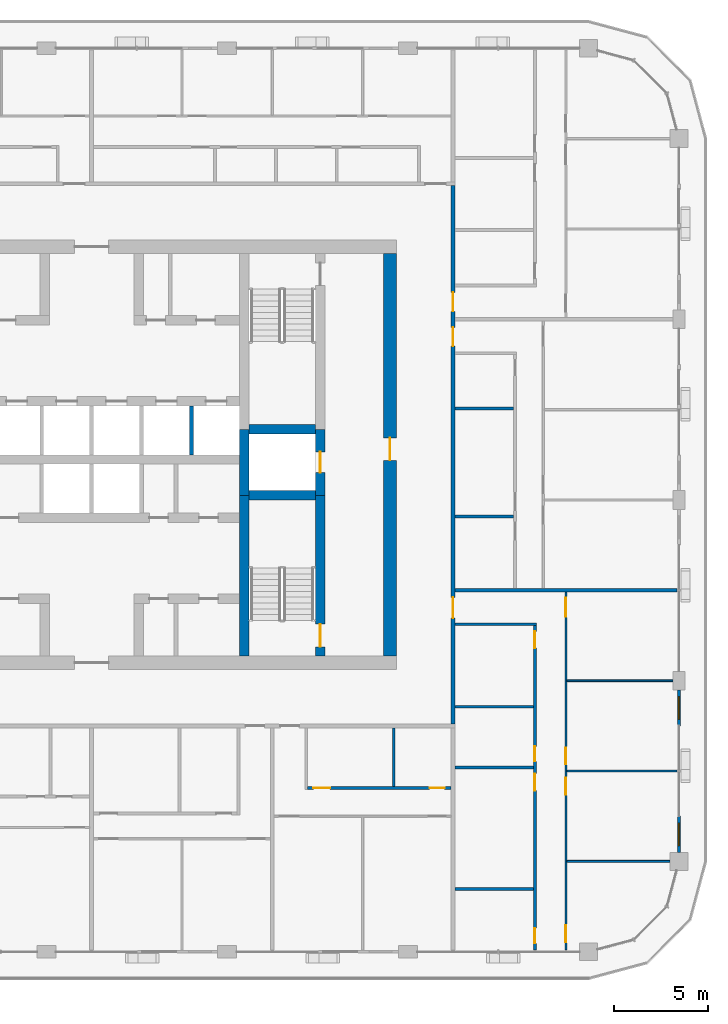
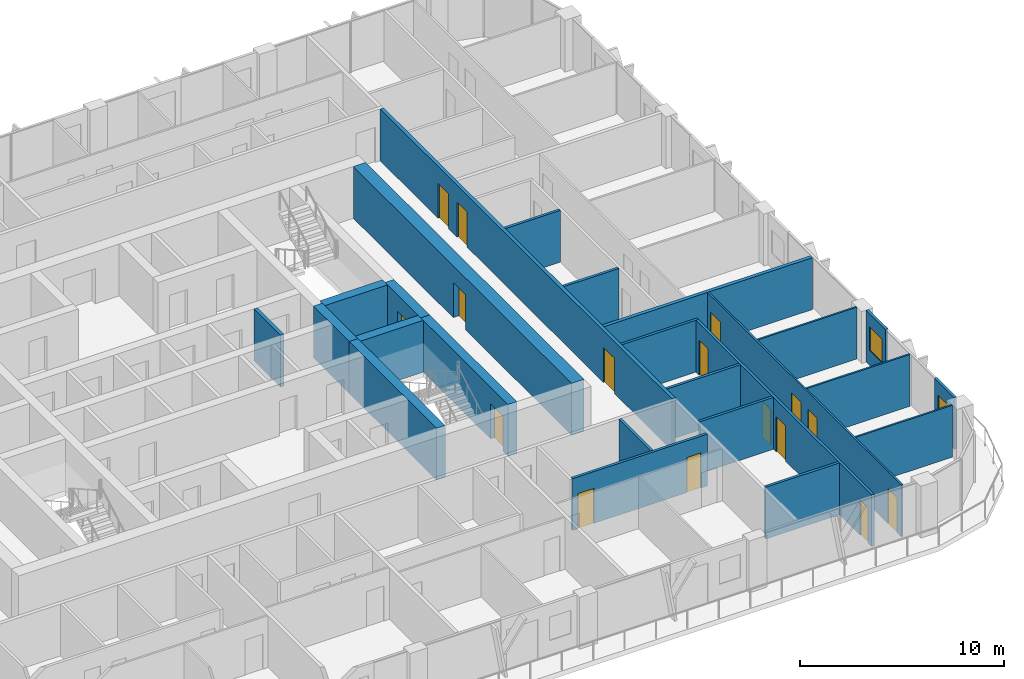
# One storey, part 12 of 22: 25 walls, 16 doors, 2 windows, 18 openings.
"""IFC4 building model written with IfcOpenShell, lengths in metres."""

from ifc_helpers import new_model, si_unit, direction, frame, frame_2d, origin, place, context, subcontext, project, spatial, rectangle, extrude, material, layer, layer_set, type_object, element, fill, save


model = new_model("IFC4")

# Units and contexts
model_context = context("Model", 3, precision=1e-05, world=origin(), true_north=direction((0.0, 1.0)))
body_context = subcontext(model_context, "Body", "Model", "MODEL_VIEW")
ifc_project = project(units=[si_unit("LENGTHUNIT", "METRE"), si_unit("AREAUNIT", "SQUARE_METRE"), si_unit("VOLUMEUNIT", "CUBIC_METRE"), si_unit("PLANEANGLEUNIT", "RADIAN"), si_unit("MASSUNIT", "GRAM", prefix="KILO")], contexts=[model_context])

# Site, building, storey
site_placement = place(None, origin())
site = spatial("IfcSite", under=ifc_project, at=site_placement, CompositionType="ELEMENT")
building_placement = place(site_placement, origin())
building = spatial("IfcBuilding", under=site, at=building_placement, Name="Madar Terraces", CompositionType="ELEMENT")
storey_placement = place(building_placement, frame((0.0, 0.0, 199.89990234375)))
storey = spatial("IfcBuildingStorey", under=building, at=storey_placement, Name="L52", CompositionType="ELEMENT", Elevation=199.89990234375)

# Walls
ifc_material_1 = material(Name="Concrete C60/75", Category="concrete")
ifc_layer_1 = layer(ifc_material_1, 0.5)
ifc_layer_set_1 = layer_set([ifc_layer_1], Name="Concrete C60/75 (CIW4 RC wall 500)")
wall_type_1 = type_object("IfcWallType", Name="CIW4 RC wall 500", PredefinedType="SHEAR", material=ifc_layer_set_1)
wall_1_placement = place(storey_placement, frame((39.300048828125, 15.699951171875, 0.0), z_axis=(0.0, 0.0, 1.0), x_axis=(0.0, 1.0, 0.0)))
element("IfcWall", 1, at=wall_1_placement, inside=storey, type_object=wall_type_1, Name="CORE SHAFT WALL", PredefinedType="SHEAR", context=body_context, shape_type="SweptSolid", body=[
    extrude(rectangle(XDim=8.550048828125, YDim=0.5, at=frame_2d((4.27490234375, 0.0))), origin(), (0.0, 0.0, 1.0), 3.10009765625),
])
wall_2_placement = place(storey_placement, frame((39.300048828125, 24.25, 0.0), z_axis=(0.0, 0.0, 1.0), x_axis=(0.0, 1.0, 0.0)))
element("IfcWall", 2, at=wall_2_placement, inside=storey, type_object=wall_type_1, Name="CORE SHAFT WALL", PredefinedType="SHEAR", context=body_context, shape_type="SweptSolid", body=[
    extrude(rectangle(XDim=3.5, YDim=0.5, at=frame_2d((1.75, 0.0))), origin(), (0.0, 0.0, 1.0), 3.10009765625),
])

# Wall, opening, door
wall_3_placement = place(storey_placement, frame((43.35009765625, 15.699951171875, 0.0), z_axis=(0.0, 0.0, 1.0), x_axis=(0.0, 1.0, 0.0)))
wall_3 = element("IfcWall", 3, at=wall_3_placement, inside=storey, type_object=wall_type_1, Name="CORE SHAFT WALL", PredefinedType="SHEAR", context=body_context, shape_type="SweptSolid", body=[
    extrude(rectangle(XDim=8.550048828125, YDim=0.5, at=frame_2d((4.27490234375, 0.0))), origin(), (0.0, 0.0, 1.0), 3.10009765625),
])
opening_1_placement = place(wall_3_placement, frame((0.5, 0.0, 0.0)))
opening_1 = element("IfcOpeningElement", 4, at=opening_1_placement, cuts=wall_3, Name="Opening SD1", PredefinedType="OPENING", context=body_context, shape_type="SweptSolid", body=[
    extrude(rectangle(XDim=1.199951171875, YDim=2.10009765625, at=frame_2d((0.60009765625, 1.050048828125))), frame((0.0, 0.260009765625, 0.0), z_axis=(0.0, -1.0, 0.0), x_axis=(1.0, 0.0, 0.0)), (0.0, 0.0, 1.0), 0.52001953125),
])
ifc_material_2 = material(Name="Steel door leaf", Category="steel")
door_type_1 = type_object("IfcDoorType", Name="Stair door 1200 x 2100", OperationType="NOTDEFINED", PredefinedType="DOOR", material=ifc_material_2)
door_1_placement = place(opening_1_placement, origin())
door_1 = element("IfcDoor", 5, at=door_1_placement, inside=storey, type_object=door_type_1, Name="STAIR DOOR", OperationType="SINGLE_SWING_LEFT", OverallHeight=2.10009765625, OverallWidth=1.199951171875, PredefinedType="DOOR", context=body_context, shape_type="SweptSolid", body=[
    extrude(rectangle(XDim=1.199951171875, YDim=2.10009765625, at=frame_2d((0.60009765625, 1.050048828125))), frame((0.0, 0.02490234375, 0.0), z_axis=(0.0, -1.0, 0.0), x_axis=(1.0, 0.0, 0.0)), (0.0, 0.0, 1.0), 0.050048828125),
])
fill(opening_1, door_1)

wall_4_placement = place(storey_placement, frame((43.35009765625, 24.25, 0.0), z_axis=(0.0, 0.0, 1.0), x_axis=(0.0, 1.0, 0.0)))
wall_4 = element("IfcWall", 6, at=wall_4_placement, inside=storey, type_object=wall_type_1, Name="CORE SHAFT WALL", PredefinedType="SHEAR", context=body_context, shape_type="SweptSolid", body=[
    extrude(rectangle(XDim=3.5, YDim=0.5, at=frame_2d((1.75, 0.0))), origin(), (0.0, 0.0, 1.0), 3.10009765625),
])
opening_2_placement = place(wall_4_placement, frame((1.199951171875, 0.0, 0.0)))
opening_2 = element("IfcOpeningElement", 7, at=opening_2_placement, cuts=wall_4, Name="Opening LD", PredefinedType="OPENING", context=body_context, shape_type="SweptSolid", body=[
    extrude(rectangle(XDim=1.10009765625, YDim=2.10009765625, at=frame_2d((0.550048828125, 1.050048828125))), frame((0.0, 0.260009765625, 0.0), z_axis=(0.0, -1.0, 0.0), x_axis=(1.0, 0.0, 0.0)), (0.0, 0.0, 1.0), 0.52001953125),
])
ifc_material_3 = material(Name="Stainless steel panel", Category="steel")
door_type_2 = type_object("IfcDoorType", Name="Lift landing door 1100 x 2100", OperationType="DOUBLE_DOOR_SLIDING", PredefinedType="DOOR", material=ifc_material_3)
door_2_placement = place(opening_2_placement, origin())
door_2 = element("IfcDoor", 8, at=door_2_placement, inside=storey, type_object=door_type_2, Name="LIFT LANDING DOOR", OperationType="DOUBLE_DOOR_SLIDING", OverallHeight=2.10009765625, OverallWidth=1.10009765625, PredefinedType="DOOR", context=body_context, shape_type="SweptSolid", body=[
    extrude(rectangle(XDim=1.10009765625, YDim=2.10009765625, at=frame_2d((0.550048828125, 1.050048828125))), frame((0.0, 0.02490234375, 0.0), z_axis=(0.0, -1.0, 0.0), x_axis=(1.0, 0.0, 0.0)), (0.0, 0.0, 1.0), 0.050048828125),
])
fill(opening_2, door_2)

# Walls
for number, where, z_axis, x_axis, name in (
    (9, (39.550048828125, 24.25, 0.0), (0.0, 0.0, 1.0), (1.0, 0.0, 0.0), "CORE SHAFT WALL"),
    (10, (39.550048828125, 27.75, 0.0), (0.0, 0.0, 1.0), (1.0, 0.0, 0.0), "CORE SHAFT WALL"),
):
    element("IfcWall", number, at=place(storey_placement, frame(where, z_axis=z_axis, x_axis=x_axis)), inside=storey, type_object=wall_type_1, Name=name, PredefinedType="SHEAR", context=body_context, shape_type="SweptSolid", body=[
        extrude(rectangle(XDim=3.550048828125, YDim=0.5, at=frame_2d((1.77490234375, 0.0))), origin(), (0.0, 0.0, 1.0), 3.10009765625),
    ])

# Wall, opening, door
ifc_material_4 = material(Name="Concrete C60/75", Category="concrete")
ifc_layer_2 = layer(ifc_material_4, 0.699951171875)
ifc_layer_set_2 = layer_set([ifc_layer_2], Name="Concrete C60/75 (CRW4 RC wall 700)")
wall_type_2 = type_object("IfcWallType", Name="CRW4 RC wall 700", PredefinedType="SHEAR", material=ifc_layer_set_2)
wall_5_placement = place(storey_placement, frame((47.050048828125, 15.699951171875, 0.0), z_axis=(0.0, 0.0, 1.0), x_axis=(0.0, 1.0, 0.0)))
wall_5 = element("IfcWall", 11, at=wall_5_placement, inside=storey, type_object=wall_type_2, Name="CORE OUTER WALL", PredefinedType="SHEAR", context=body_context, shape_type="SweptSolid", body=[
    extrude(rectangle(XDim=21.400146484375, YDim=0.699951171875, at=frame_2d((10.7001953125, 0.0))), origin(), (0.0, 0.0, 1.0), 3.10009765625),
])
opening_3_placement = place(wall_5_placement, frame((10.39990234375, 0.0, 0.0)))
opening_3 = element("IfcOpeningElement", 12, at=opening_3_placement, cuts=wall_5, Name="Opening SD1", PredefinedType="OPENING", context=body_context, shape_type="SweptSolid", body=[
    extrude(rectangle(XDim=1.199951171875, YDim=2.10009765625, at=frame_2d((0.60009765625, 1.050048828125))), frame((0.0, 0.35986328125, 0.0), z_axis=(0.0, -1.0, 0.0), x_axis=(1.0, 0.0, 0.0)), (0.0, 0.0, 1.0), 0.719970703125),
])
door_3_placement = place(opening_3_placement, origin())
door_3 = element("IfcDoor", 13, at=door_3_placement, inside=storey, type_object=door_type_1, Name="STAIR DOOR", OperationType="SINGLE_SWING_RIGHT", OverallHeight=2.10009765625, OverallWidth=1.199951171875, PredefinedType="DOOR", context=body_context, shape_type="SweptSolid", body=[
    extrude(rectangle(XDim=1.199951171875, YDim=2.10009765625, at=frame_2d((0.60009765625, 1.050048828125))), frame((0.0, 0.02490234375, 0.0), z_axis=(0.0, -1.0, 0.0), x_axis=(1.0, 0.0, 0.0)), (0.0, 0.0, 1.0), 0.050048828125),
])
fill(opening_3, door_3)

# Wall
ifc_material_5 = material(Name="Concrete C40/50", Category="concrete")
ifc_layer_3 = layer(ifc_material_5, 0.199951171875)
ifc_layer_set_3 = layer_set([ifc_layer_3], Name="Core shaft dividing wall 200 C40/50")
wall_type_3 = type_object("IfcWallType", Name="Core shaft dividing wall 200 C40/50", PredefinedType="SOLIDWALL", material=ifc_layer_set_3)
wall_6_placement = place(storey_placement, frame((36.5, 26.39990234375, 0.0), z_axis=(0.0, 0.0, 1.0), x_axis=(0.0, 1.0, 0.0)))
element("IfcWall", 14, at=wall_6_placement, inside=storey, type_object=wall_type_3, Name="SHAFT DIVIDING WALL", PredefinedType="SOLIDWALL", context=body_context, shape_type="SweptSolid", body=[
    extrude(rectangle(XDim=2.60009765625, YDim=0.199951171875, at=frame_2d((1.300048828125, 0.0))), origin(), (0.0, 0.0, 1.0), 3.10009765625),
])

# Wall, opening, window
ifc_material_6 = material(Name="Aluminium composite panel, black, over insulated backing", Category="aluminium")
ifc_layer_4 = layer(ifc_material_6, 0.14990234375)
ifc_layer_set_4 = layer_set([ifc_layer_4], Name="Facade bay panel 150")
wall_type_4 = type_object("IfcWallType", Name="Facade bay panel 150", PredefinedType="SOLIDWALL", material=ifc_layer_set_4)
wall_7_placement = place(storey_placement, frame((62.39990234375, 5.27490234375, 0.0), z_axis=(0.0, 0.0, 1.0), x_axis=(0.0, 1.0, 0.0)))
wall_7 = element("IfcWall", 15, at=wall_7_placement, inside=storey, type_object=wall_type_4, Name="Facade bay panel", PredefinedType="SOLIDWALL", context=body_context, shape_type="SweptSolid", body=[
    extrude(rectangle(XDim=1.925048828125, YDim=0.14990234375, at=frame_2d((0.96240234375, 0.0))), origin(), (0.0, 0.0, 1.0), 3.10009765625),
])
opening_4_placement = place(wall_7_placement, frame((0.362548828125, 0.0, 0.89990234375)))
opening_4 = element("IfcOpeningElement", 16, at=opening_4_placement, cuts=wall_7, Name="Opening W1", PredefinedType="OPENING", context=body_context, shape_type="SweptSolid", body=[
    extrude(rectangle(XDim=1.199951171875, YDim=1.39990234375, at=frame_2d((0.60009765625, 0.699951171875))), frame((0.0, 0.0849609375, 0.0), z_axis=(0.0, -1.0, 0.0), x_axis=(1.0, 0.0, 0.0)), (0.0, 0.0, 1.0), 0.169921875),
])
ifc_material_7 = material(Name="Glass, clear, with black aluminium frame", Category="aluminium")
window_type = type_object("IfcWindowType", Name="Vent window 1200 x 1400", PartitioningType="SINGLE_PANEL", PredefinedType="WINDOW", material=ifc_material_7)
window_1_placement = place(opening_4_placement, origin())
window_1 = element("IfcWindow", 17, at=window_1_placement, inside=storey, type_object=window_type, Name="Operable vent window", OverallHeight=1.39990234375, OverallWidth=1.199951171875, PartitioningType="SINGLE_PANEL", PredefinedType="WINDOW", context=body_context, shape_type="SweptSolid", body=[
    extrude(rectangle(XDim=1.199951171875, YDim=1.39990234375, at=frame_2d((0.60009765625, 0.699951171875))), frame((0.0, 0.030029296875, 0.0), z_axis=(0.0, -1.0, 0.0), x_axis=(1.0, 0.0, 0.0)), (0.0, 0.0, 1.0), 0.06005859375),
])
fill(opening_4, window_1)

wall_8_placement = place(storey_placement, frame((62.39990234375, 12.0, 0.0), z_axis=(0.0, 0.0, 1.0), x_axis=(0.0, 1.0, 0.0)))
wall_8 = element("IfcWall", 18, at=wall_8_placement, inside=storey, type_object=wall_type_4, Name="Facade bay panel", PredefinedType="SOLIDWALL", context=body_context, shape_type="SweptSolid", body=[
    extrude(rectangle(XDim=1.89990234375, YDim=0.14990234375, at=frame_2d((0.949951171875, 0.0))), origin(), (0.0, 0.0, 1.0), 3.10009765625),
])
opening_5_placement = place(wall_8_placement, frame((0.35009765625, 0.0, 0.89990234375)))
opening_5 = element("IfcOpeningElement", 19, at=opening_5_placement, cuts=wall_8, Name="Opening W1", PredefinedType="OPENING", context=body_context, shape_type="SweptSolid", body=[
    extrude(rectangle(XDim=1.199951171875, YDim=1.39990234375, at=frame_2d((0.60009765625, 0.699951171875))), frame((0.0, 0.0849609375, 0.0), z_axis=(0.0, -1.0, 0.0), x_axis=(1.0, 0.0, 0.0)), (0.0, 0.0, 1.0), 0.169921875),
])
window_2_placement = place(opening_5_placement, origin())
window_2 = element("IfcWindow", 20, at=window_2_placement, inside=storey, type_object=window_type, Name="Operable vent window", OverallHeight=1.39990234375, OverallWidth=1.199951171875, PartitioningType="SINGLE_PANEL", PredefinedType="WINDOW", context=body_context, shape_type="SweptSolid", body=[
    extrude(rectangle(XDim=1.199951171875, YDim=1.39990234375, at=frame_2d((0.60009765625, 0.699951171875))), frame((0.0, 0.030029296875, 0.0), z_axis=(0.0, -1.0, 0.0), x_axis=(1.0, 0.0, 0.0)), (0.0, 0.0, 1.0), 0.06005859375),
])
fill(opening_5, window_2)

# Walls
ifc_material_8 = material(Name="Gypsum board on steel studs", Category="steel")
ifc_layer_5 = layer(ifc_material_8, 0.10009765625)
ifc_layer_set_5 = layer_set([ifc_layer_5], Name="Flat partition 100")
wall_type_5 = type_object("IfcWallType", Name="Flat partition 100", PredefinedType="PARTITIONING", material=ifc_layer_set_5)
wall_9_placement = place(storey_placement, frame((56.449951171875, 14.39990234375, 0.0), z_axis=(0.0, 0.0, 1.0), x_axis=(1.0, 0.0, 0.0)))
element("IfcWall", 21, at=wall_9_placement, inside=storey, type_object=wall_type_5, Name="Flat partition 100", PredefinedType="PARTITIONING", context=body_context, shape_type="SweptSolid", body=[
    extrude(rectangle(XDim=5.625, YDim=0.10009765625, at=frame_2d((2.8125, 0.0))), origin(), (0.0, 0.0, 1.0), 3.10009765625),
])
wall_10_placement = place(storey_placement, frame((56.449951171875, 9.60009765625, 0.0), z_axis=(0.0, 0.0, 1.0), x_axis=(1.0, 0.0, 0.0)))
element("IfcWall", 22, at=wall_10_placement, inside=storey, type_object=wall_type_5, Name="Flat partition 100", PredefinedType="PARTITIONING", context=body_context, shape_type="SweptSolid", body=[
    extrude(rectangle(XDim=5.85009765625, YDim=0.10009765625, at=frame_2d((2.925048828125, 0.0))), origin(), (0.0, 0.0, 1.0), 3.10009765625),
])
wall_11_placement = place(storey_placement, frame((56.449951171875, 4.800048828125, 0.0), z_axis=(0.0, 0.0, 1.0), x_axis=(1.0, 0.0, 0.0)))
element("IfcWall", 23, at=wall_11_placement, inside=storey, type_object=wall_type_5, Name="Flat partition 100", PredefinedType="PARTITIONING", context=body_context, shape_type="SweptSolid", body=[
    extrude(rectangle(XDim=5.47509765625, YDim=0.10009765625, at=frame_2d((2.737548828125, 0.0))), origin(), (0.0, 0.0, 1.0), 3.10009765625),
])

# Wall, openings, doors
wall_12_placement = place(storey_placement, frame((56.39990234375, 19.10009765625, 0.0), z_axis=(0.0, 0.0, 1.0), x_axis=(0.0, -1.0, 0.0)))
wall_12 = element("IfcWall", 24, at=wall_12_placement, inside=storey, type_object=wall_type_5, Name="Flat partition 100", PredefinedType="PARTITIONING", context=body_context, shape_type="SweptSolid", body=[
    extrude(rectangle(XDim=19.0, YDim=0.10009765625, at=frame_2d((9.5, 0.0))), origin(), (0.0, 0.0, 1.0), 3.10009765625),
])
opening_6_placement = place(wall_12_placement, frame((0.300048828125, 0.0, 0.0)))
opening_6 = element("IfcOpeningElement", 25, at=opening_6_placement, cuts=wall_12, Name="Opening D3", PredefinedType="OPENING", context=body_context, shape_type="SweptSolid", body=[
    extrude(rectangle(XDim=1.0, YDim=2.10009765625, at=frame_2d((0.5, 1.050048828125))), frame((0.0, 0.06005859375, 0.0), z_axis=(0.0, -1.0, 0.0), x_axis=(1.0, 0.0, 0.0)), (0.0, 0.0, 1.0), 0.1201171875),
])
opening_7_placement = place(wall_12_placement, frame((8.25, 0.0, 0.0)))
opening_7 = element("IfcOpeningElement", 26, at=opening_7_placement, cuts=wall_12, Name="Opening D2", PredefinedType="OPENING", context=body_context, shape_type="SweptSolid", body=[
    extrude(rectangle(XDim=0.89990234375, YDim=2.10009765625, at=frame_2d((0.449951171875, 1.050048828125))), frame((0.0, 0.06005859375, 0.0), z_axis=(0.0, -1.0, 0.0), x_axis=(1.0, 0.0, 0.0)), (0.0, 0.0, 1.0), 0.1201171875),
])
opening_8_placement = place(wall_12_placement, frame((9.85009765625, 0.0, 0.0)))
opening_8 = element("IfcOpeningElement", 27, at=opening_8_placement, cuts=wall_12, Name="Opening D2", PredefinedType="OPENING", context=body_context, shape_type="SweptSolid", body=[
    extrude(rectangle(XDim=0.89990234375, YDim=2.10009765625, at=frame_2d((0.449951171875, 1.050048828125))), frame((0.0, 0.06005859375, 0.0), z_axis=(0.0, -1.0, 0.0), x_axis=(1.0, 0.0, 0.0)), (0.0, 0.0, 1.0), 0.1201171875),
])
opening_9_placement = place(wall_12_placement, frame((17.699951171875, 0.0, 0.0)))
opening_9 = element("IfcOpeningElement", 28, at=opening_9_placement, cuts=wall_12, Name="Opening D2", PredefinedType="OPENING", context=body_context, shape_type="SweptSolid", body=[
    extrude(rectangle(XDim=0.89990234375, YDim=2.10009765625, at=frame_2d((0.449951171875, 1.050048828125))), frame((0.0, 0.06005859375, 0.0), z_axis=(0.0, -1.0, 0.0), x_axis=(1.0, 0.0, 0.0)), (0.0, 0.0, 1.0), 0.1201171875),
])
ifc_material_9 = material(Name="Timber door leaf", Category="wood")
door_type_3 = type_object("IfcDoorType", Name="Flat living room door 1000", OperationType="NOTDEFINED", PredefinedType="DOOR", material=ifc_material_9)
door_4_placement = place(opening_6_placement, origin())
door_4 = element("IfcDoor", 29, at=door_4_placement, inside=storey, type_object=door_type_3, Name="Flat living room door 1000", OperationType="SINGLE_SWING_LEFT", OverallHeight=2.10009765625, OverallWidth=1.0, PredefinedType="DOOR", context=body_context, shape_type="SweptSolid", body=[
    extrude(rectangle(XDim=1.0, YDim=2.10009765625, at=frame_2d((0.5, 1.050048828125))), frame((0.0, 0.02490234375, 0.0), z_axis=(0.0, -1.0, 0.0), x_axis=(1.0, 0.0, 0.0)), (0.0, 0.0, 1.0), 0.050048828125),
])
fill(opening_6, door_4)
ifc_material_10 = material(Name="Timber door leaf", Category="wood")
door_type_4 = type_object("IfcDoorType", Name="Flat room door 900", OperationType="NOTDEFINED", PredefinedType="DOOR", material=ifc_material_10)
door_5_placement = place(opening_7_placement, origin())
door_5 = element("IfcDoor", 30, at=door_5_placement, inside=storey, type_object=door_type_4, Name="Flat room door 900", OperationType="SINGLE_SWING_RIGHT", OverallHeight=2.10009765625, OverallWidth=0.89990234375, PredefinedType="DOOR", context=body_context, shape_type="SweptSolid", body=[
    extrude(rectangle(XDim=0.89990234375, YDim=2.10009765625, at=frame_2d((0.449951171875, 1.050048828125))), frame((0.0, 0.02490234375, 0.0), z_axis=(0.0, -1.0, 0.0), x_axis=(1.0, 0.0, 0.0)), (0.0, 0.0, 1.0), 0.050048828125),
])
fill(opening_7, door_5)
door_6_placement = place(opening_8_placement, origin())
door_6 = element("IfcDoor", 31, at=door_6_placement, inside=storey, type_object=door_type_4, Name="Flat room door 900", OperationType="SINGLE_SWING_LEFT", OverallHeight=2.10009765625, OverallWidth=0.89990234375, PredefinedType="DOOR", context=body_context, shape_type="SweptSolid", body=[
    extrude(rectangle(XDim=0.89990234375, YDim=2.10009765625, at=frame_2d((0.449951171875, 1.050048828125))), frame((0.0, 0.02490234375, 0.0), z_axis=(0.0, -1.0, 0.0), x_axis=(1.0, 0.0, 0.0)), (0.0, 0.0, 1.0), 0.050048828125),
])
fill(opening_8, door_6)
door_7_placement = place(opening_9_placement, origin())
door_7 = element("IfcDoor", 32, at=door_7_placement, inside=storey, type_object=door_type_4, Name="Flat room door 900", OperationType="SINGLE_SWING_RIGHT", OverallHeight=2.10009765625, OverallWidth=0.89990234375, PredefinedType="DOOR", context=body_context, shape_type="SweptSolid", body=[
    extrude(rectangle(XDim=0.89990234375, YDim=2.10009765625, at=frame_2d((0.449951171875, 1.050048828125))), frame((0.0, 0.02490234375, 0.0), z_axis=(0.0, -1.0, 0.0), x_axis=(1.0, 0.0, 0.0)), (0.0, 0.0, 1.0), 0.050048828125),
])
fill(opening_9, door_7)

ifc_material_11 = material(Name="Lightweight blockwork", Category="masonry")
ifc_layer_6 = layer(ifc_material_11, 0.199951171875)
ifc_layer_set_6 = layer_set([ifc_layer_6], Name="Flat party and entrance wall 200")
wall_type_6 = type_object("IfcWallType", Name="Flat party and entrance wall 200", PredefinedType="PARTITIONING", material=ifc_layer_set_6)
wall_13_placement = place(storey_placement, frame((50.39990234375, 40.699951171875, 0.0), z_axis=(0.0, 0.0, 1.0), x_axis=(0.0, -1.0, 0.0)))
wall_13 = element("IfcWall", 33, at=wall_13_placement, inside=storey, type_object=wall_type_6, Name="Flat party and entrance wall 200", PredefinedType="PARTITIONING", context=body_context, shape_type="SweptSolid", body=[
    extrude(rectangle(XDim=28.599853515625, YDim=0.199951171875, at=frame_2d((14.2998046875, 0.0))), origin(), (0.0, 0.0, 1.0), 3.10009765625),
])
opening_10_placement = place(wall_13_placement, frame((21.875, 0.0, 0.0)))
opening_10 = element("IfcOpeningElement", 34, at=opening_10_placement, cuts=wall_13, Name="Opening D6", PredefinedType="OPENING", context=body_context, shape_type="SweptSolid", body=[
    extrude(rectangle(XDim=1.10009765625, YDim=2.10009765625, at=frame_2d((0.550048828125, 1.050048828125))), frame((0.0, 0.10986328125, 0.0), z_axis=(0.0, -1.0, 0.0), x_axis=(1.0, 0.0, 0.0)), (0.0, 0.0, 1.0), 0.219970703125),
])
opening_11_placement = place(wall_13_placement, frame((7.52490234375, 0.0, 0.0)))
opening_11 = element("IfcOpeningElement", 35, at=opening_11_placement, cuts=wall_13, Name="Opening D1", PredefinedType="OPENING", context=body_context, shape_type="SweptSolid", body=[
    extrude(rectangle(XDim=1.0, YDim=2.10009765625, at=frame_2d((0.5, 1.050048828125))), frame((0.0, 0.10986328125, 0.0), z_axis=(0.0, -1.0, 0.0), x_axis=(1.0, 0.0, 0.0)), (0.0, 0.0, 1.0), 0.219970703125),
])
opening_12_placement = place(wall_13_placement, frame((5.675048828125, 0.0, 0.0)))
opening_12 = element("IfcOpeningElement", 36, at=opening_12_placement, cuts=wall_13, Name="Opening D1", PredefinedType="OPENING", context=body_context, shape_type="SweptSolid", body=[
    extrude(rectangle(XDim=1.0, YDim=2.10009765625, at=frame_2d((0.5, 1.050048828125))), frame((0.0, 0.10986328125, 0.0), z_axis=(0.0, -1.0, 0.0), x_axis=(1.0, 0.0, 0.0)), (0.0, 0.0, 1.0), 0.219970703125),
])
ifc_material_12 = material(Name="Timber fire door leaf", Category="wood")
door_type_5 = type_object("IfcDoorType", Name="Flat entrance door 1000 FD30S", OperationType="NOTDEFINED", PredefinedType="DOOR", material=ifc_material_12)
door_8_placement = place(opening_11_placement, origin())
door_8 = element("IfcDoor", 37, at=door_8_placement, inside=storey, type_object=door_type_5, Name="Flat entrance door 1000 FD30S", OperationType="SINGLE_SWING_LEFT", OverallHeight=2.10009765625, OverallWidth=1.0, PredefinedType="DOOR", context=body_context, shape_type="SweptSolid", body=[
    extrude(rectangle(XDim=1.0, YDim=2.10009765625, at=frame_2d((0.5, 1.050048828125))), frame((0.0, 0.02490234375, 0.0), z_axis=(0.0, -1.0, 0.0), x_axis=(1.0, 0.0, 0.0)), (0.0, 0.0, 1.0), 0.050048828125),
])
fill(opening_11, door_8)
door_9_placement = place(opening_12_placement, origin())
door_9 = element("IfcDoor", 38, at=door_9_placement, inside=storey, type_object=door_type_5, Name="Flat entrance door 1000 FD30S", OperationType="SINGLE_SWING_RIGHT", OverallHeight=2.10009765625, OverallWidth=1.0, PredefinedType="DOOR", context=body_context, shape_type="SweptSolid", body=[
    extrude(rectangle(XDim=1.0, YDim=2.10009765625, at=frame_2d((0.5, 1.050048828125))), frame((0.0, 0.02490234375, 0.0), z_axis=(0.0, -1.0, 0.0), x_axis=(1.0, 0.0, 0.0)), (0.0, 0.0, 1.0), 0.050048828125),
])
fill(opening_12, door_9)
ifc_material_13 = material(Name="Timber fire door leaf", Category="wood")
door_type_6 = type_object("IfcDoorType", Name="Flat entrance door 1100 FD30S", OperationType="NOTDEFINED", PredefinedType="DOOR", material=ifc_material_13)
door_10_placement = place(opening_10_placement, origin())
door_10 = element("IfcDoor", 39, at=door_10_placement, inside=storey, type_object=door_type_6, Name="Flat entrance door 1100 FD30S", OperationType="SINGLE_SWING_LEFT", OverallHeight=2.10009765625, OverallWidth=1.10009765625, PredefinedType="DOOR", context=body_context, shape_type="SweptSolid", body=[
    extrude(rectangle(XDim=1.10009765625, YDim=2.10009765625, at=frame_2d((0.550048828125, 1.050048828125))), frame((0.0, 0.02490234375, 0.0), z_axis=(0.0, -1.0, 0.0), x_axis=(1.0, 0.0, 0.0)), (0.0, 0.0, 1.0), 0.050048828125),
])
fill(opening_10, door_10)

# Walls
wall_14_placement = place(storey_placement, frame((50.5, 19.199951171875, 0.0), z_axis=(0.0, 0.0, 1.0), x_axis=(1.0, 0.0, 0.0)))
element("IfcWall", 40, at=wall_14_placement, inside=storey, type_object=wall_type_6, Name="Flat party and entrance wall 200", PredefinedType="PARTITIONING", context=body_context, shape_type="SweptSolid", body=[
    extrude(rectangle(XDim=11.800048828125, YDim=0.199951171875, at=frame_2d((5.89990234375, 0.0))), origin(), (0.0, 0.0, 1.0), 3.10009765625),
])
ifc_material_14 = material(Name="Lightweight blockwork", Category="masonry")
ifc_layer_7 = layer(ifc_material_14, 0.14990234375)
ifc_layer_set_7 = layer_set([ifc_layer_7], Name="Flat wet-room partition 150")
wall_type_7 = type_object("IfcWallType", Name="Flat wet-room partition 150", PredefinedType="PARTITIONING", material=ifc_layer_set_7)
wall_15_placement = place(storey_placement, frame((47.25, 11.89990234375, 0.0), z_axis=(0.0, 0.0, 1.0), x_axis=(0.0, -1.0, 0.0)))
element("IfcWall", 41, at=wall_15_placement, inside=storey, type_object=wall_type_7, Name="Flat wet-room partition 150", PredefinedType="PARTITIONING", context=body_context, shape_type="SweptSolid", body=[
    extrude(rectangle(XDim=3.125, YDim=0.14990234375, at=frame_2d((1.5625, 0.0))), origin(), (0.0, 0.0, 1.0), 3.10009765625),
])

# Wall, openings, doors
wall_16_placement = place(storey_placement, frame((42.675048828125, 8.699951171875, 0.0), z_axis=(0.0, 0.0, 1.0), x_axis=(1.0, 0.0, 0.0)))
wall_16 = element("IfcWall", 42, at=wall_16_placement, inside=storey, type_object=wall_type_7, Name="Flat wet-room partition 150", PredefinedType="PARTITIONING", context=body_context, shape_type="SweptSolid", body=[
    extrude(rectangle(XDim=7.625, YDim=0.14990234375, at=frame_2d((3.8125, 0.0))), origin(), (0.0, 0.0, 1.0), 3.10009765625),
])
opening_13_placement = place(wall_16_placement, frame((0.300048828125, 0.0, 0.0)))
opening_13 = element("IfcOpeningElement", 43, at=opening_13_placement, cuts=wall_16, Name="Opening D2", PredefinedType="OPENING", context=body_context, shape_type="SweptSolid", body=[
    extrude(rectangle(XDim=0.89990234375, YDim=2.10009765625, at=frame_2d((0.449951171875, 1.050048828125))), frame((0.0, 0.0849609375, 0.0), z_axis=(0.0, -1.0, 0.0), x_axis=(1.0, 0.0, 0.0)), (0.0, 0.0, 1.0), 0.169921875),
])
opening_14_placement = place(wall_16_placement, frame((6.47509765625, 0.0, 0.0)))
opening_14 = element("IfcOpeningElement", 44, at=opening_14_placement, cuts=wall_16, Name="Opening D4", PredefinedType="OPENING", context=body_context, shape_type="SweptSolid", body=[
    extrude(rectangle(XDim=0.800048828125, YDim=2.10009765625, at=frame_2d((0.39990234375, 1.050048828125))), frame((0.0, 0.0849609375, 0.0), z_axis=(0.0, -1.0, 0.0), x_axis=(1.0, 0.0, 0.0)), (0.0, 0.0, 1.0), 0.169921875),
])
ifc_material_15 = material(Name="Timber door leaf", Category="wood")
door_type_7 = type_object("IfcDoorType", Name="Flat bathroom door 800", OperationType="NOTDEFINED", PredefinedType="DOOR", material=ifc_material_15)
door_11_placement = place(opening_14_placement, origin())
door_11 = element("IfcDoor", 45, at=door_11_placement, inside=storey, type_object=door_type_7, Name="Flat bathroom door 800", OperationType="SINGLE_SWING_RIGHT", OverallHeight=2.10009765625, OverallWidth=0.800048828125, PredefinedType="DOOR", context=body_context, shape_type="SweptSolid", body=[
    extrude(rectangle(XDim=0.800048828125, YDim=2.10009765625, at=frame_2d((0.39990234375, 1.050048828125))), frame((0.0, 0.02490234375, 0.0), z_axis=(0.0, -1.0, 0.0), x_axis=(1.0, 0.0, 0.0)), (0.0, 0.0, 1.0), 0.050048828125),
])
fill(opening_14, door_11)
door_12_placement = place(opening_13_placement, origin())
door_12 = element("IfcDoor", 46, at=door_12_placement, inside=storey, type_object=door_type_4, Name="Flat room door 900", OperationType="SINGLE_SWING_LEFT", OverallHeight=2.10009765625, OverallWidth=0.89990234375, PredefinedType="DOOR", context=body_context, shape_type="SweptSolid", body=[
    extrude(rectangle(XDim=0.89990234375, YDim=2.10009765625, at=frame_2d((0.449951171875, 1.050048828125))), frame((0.0, 0.02490234375, 0.0), z_axis=(0.0, -1.0, 0.0), x_axis=(1.0, 0.0, 0.0)), (0.0, 0.0, 1.0), 0.050048828125),
])
fill(opening_13, door_12)

# Walls
for number, where, z_axis, x_axis, name in (
    (47, (50.5, 13.018798828125, 0.0), (0.0, 0.0, 1.0), (1.0, 0.0, 0.0), "Flat wet-room partition 150"),
    (48, (50.5, 9.7890625, 0.0), (0.0, 0.0, 1.0), (1.0, 0.0, 0.0), "Flat wet-room partition 150"),
    (49, (50.5, 3.32958984375, 0.0), (0.0, 0.0, 1.0), (1.0, 0.0, 0.0), "Flat wet-room partition 150"),
):
    element("IfcWall", number, at=place(storey_placement, frame(where, z_axis=z_axis, x_axis=x_axis)), inside=storey, type_object=wall_type_7, Name=name, PredefinedType="PARTITIONING", context=body_context, shape_type="SweptSolid", body=[
        extrude(rectangle(XDim=4.175048828125, YDim=0.14990234375, at=frame_2d((2.08740234375, 0.0))), origin(), (0.0, 0.0, 1.0), 3.10009765625),
    ])
wall_17_placement = place(storey_placement, frame((50.5, 17.39990234375, 0.0), z_axis=(0.0, 0.0, 1.0), x_axis=(1.0, 0.0, 0.0)))
element("IfcWall", 50, at=wall_17_placement, inside=storey, type_object=wall_type_7, Name="Flat wet-room partition 150", PredefinedType="PARTITIONING", context=body_context, shape_type="SweptSolid", body=[
    extrude(rectangle(XDim=4.324951171875, YDim=0.14990234375, at=frame_2d((2.16259765625, 0.0))), origin(), (0.0, 0.0, 1.0), 3.10009765625),
])

# Wall, openings, doors
wall_18_placement = place(storey_placement, frame((54.75, 0.10009765625, 0.0), z_axis=(0.0, 0.0, 1.0), x_axis=(0.0, 1.0, 0.0)))
wall_18 = element("IfcWall", 51, at=wall_18_placement, inside=storey, type_object=wall_type_7, Name="Flat wet-room partition 150", PredefinedType="PARTITIONING", context=body_context, shape_type="SweptSolid", body=[
    extrude(rectangle(XDim=17.224853515625, YDim=0.14990234375, at=frame_2d((8.6123046875, 0.0))), origin(), (0.0, 0.0, 1.0), 3.10009765625),
])
opening_15_placement = place(wall_18_placement, frame((16.02490234375, 0.0, 0.0)))
opening_15 = element("IfcOpeningElement", 52, at=opening_15_placement, cuts=wall_18, Name="Opening D5", PredefinedType="OPENING", context=body_context, shape_type="SweptSolid", body=[
    extrude(rectangle(XDim=0.89990234375, YDim=2.10009765625, at=frame_2d((0.449951171875, 1.050048828125))), frame((0.0, 0.0849609375, 0.0), z_axis=(0.0, -1.0, 0.0), x_axis=(1.0, 0.0, 0.0)), (0.0, 0.0, 1.0), 0.169921875),
])
opening_16_placement = place(wall_18_placement, frame((10.01416015625, 0.0, 0.0)))
opening_16 = element("IfcOpeningElement", 53, at=opening_16_placement, cuts=wall_18, Name="Opening D4", PredefinedType="OPENING", context=body_context, shape_type="SweptSolid", body=[
    extrude(rectangle(XDim=0.800048828125, YDim=2.10009765625, at=frame_2d((0.39990234375, 1.050048828125))), frame((0.0, 0.0849609375, 0.0), z_axis=(0.0, -1.0, 0.0), x_axis=(1.0, 0.0, 0.0)), (0.0, 0.0, 1.0), 0.169921875),
])
opening_17_placement = place(wall_18_placement, frame((8.464111328125, 0.0, 0.0)))
opening_17 = element("IfcOpeningElement", 54, at=opening_17_placement, cuts=wall_18, Name="Opening D2", PredefinedType="OPENING", context=body_context, shape_type="SweptSolid", body=[
    extrude(rectangle(XDim=0.89990234375, YDim=2.10009765625, at=frame_2d((0.449951171875, 1.050048828125))), frame((0.0, 0.0849609375, 0.0), z_axis=(0.0, -1.0, 0.0), x_axis=(1.0, 0.0, 0.0)), (0.0, 0.0, 1.0), 0.169921875),
])
opening_18_placement = place(wall_18_placement, frame((0.35009765625, 0.0, 0.0)))
opening_18 = element("IfcOpeningElement", 55, at=opening_18_placement, cuts=wall_18, Name="Opening D7", PredefinedType="OPENING", context=body_context, shape_type="SweptSolid", body=[
    extrude(rectangle(XDim=0.800048828125, YDim=2.10009765625, at=frame_2d((0.39990234375, 1.050048828125))), frame((0.0, 0.0849609375, 0.0), z_axis=(0.0, -1.0, 0.0), x_axis=(1.0, 0.0, 0.0)), (0.0, 0.0, 1.0), 0.169921875),
])
ifc_material_16 = material(Name="Timber door leaf", Category="wood")
door_type_8 = type_object("IfcDoorType", Name="Flat accessible bathroom door 900", OperationType="NOTDEFINED", PredefinedType="DOOR", material=ifc_material_16)
door_13_placement = place(opening_15_placement, origin())
door_13 = element("IfcDoor", 56, at=door_13_placement, inside=storey, type_object=door_type_8, Name="Flat accessible bathroom door 900", OperationType="SINGLE_SWING_RIGHT", OverallHeight=2.10009765625, OverallWidth=0.89990234375, PredefinedType="DOOR", context=body_context, shape_type="SweptSolid", body=[
    extrude(rectangle(XDim=0.89990234375, YDim=2.10009765625, at=frame_2d((0.449951171875, 1.050048828125))), frame((0.0, 0.02490234375, 0.0), z_axis=(0.0, -1.0, 0.0), x_axis=(1.0, 0.0, 0.0)), (0.0, 0.0, 1.0), 0.050048828125),
])
fill(opening_15, door_13)
door_14_placement = place(opening_16_placement, origin())
door_14 = element("IfcDoor", 57, at=door_14_placement, inside=storey, type_object=door_type_7, Name="Flat bathroom door 800", OperationType="SINGLE_SWING_LEFT", OverallHeight=2.10009765625, OverallWidth=0.800048828125, PredefinedType="DOOR", context=body_context, shape_type="SweptSolid", body=[
    extrude(rectangle(XDim=0.800048828125, YDim=2.10009765625, at=frame_2d((0.39990234375, 1.050048828125))), frame((0.0, 0.02490234375, 0.0), z_axis=(0.0, -1.0, 0.0), x_axis=(1.0, 0.0, 0.0)), (0.0, 0.0, 1.0), 0.050048828125),
])
fill(opening_16, door_14)
door_15_placement = place(opening_17_placement, origin())
door_15 = element("IfcDoor", 58, at=door_15_placement, inside=storey, type_object=door_type_4, Name="Flat room door 900", OperationType="SINGLE_SWING_RIGHT", OverallHeight=2.10009765625, OverallWidth=0.89990234375, PredefinedType="DOOR", context=body_context, shape_type="SweptSolid", body=[
    extrude(rectangle(XDim=0.89990234375, YDim=2.10009765625, at=frame_2d((0.449951171875, 1.050048828125))), frame((0.0, 0.02490234375, 0.0), z_axis=(0.0, -1.0, 0.0), x_axis=(1.0, 0.0, 0.0)), (0.0, 0.0, 1.0), 0.050048828125),
])
fill(opening_17, door_15)
ifc_material_17 = material(Name="Timber door leaf", Category="wood")
door_type_9 = type_object("IfcDoorType", Name="Flat utility door 800", OperationType="NOTDEFINED", PredefinedType="DOOR", material=ifc_material_17)
door_16_placement = place(opening_18_placement, origin())
door_16 = element("IfcDoor", 59, at=door_16_placement, inside=storey, type_object=door_type_9, Name="Flat utility door 800", OperationType="SINGLE_SWING_LEFT", OverallHeight=2.10009765625, OverallWidth=0.800048828125, PredefinedType="DOOR", context=body_context, shape_type="SweptSolid", body=[
    extrude(rectangle(XDim=0.800048828125, YDim=2.10009765625, at=frame_2d((0.39990234375, 1.050048828125))), frame((0.0, 0.02490234375, 0.0), z_axis=(0.0, -1.0, 0.0), x_axis=(1.0, 0.0, 0.0)), (0.0, 0.0, 1.0), 0.050048828125),
])
fill(opening_18, door_16)

# Walls
for number, where, z_axis, x_axis, name in (
    (60, (50.5, 28.857666015625, 0.0), (0.0, 0.0, 1.0), (1.0, 0.0, 0.0), "Flat wet-room partition 150"),
    (61, (50.5, 23.123046875, 0.0), (0.0, 0.0, 1.0), (1.0, 0.0, 0.0), "Flat wet-room partition 150"),
):
    element("IfcWall", number, at=place(storey_placement, frame(where, z_axis=z_axis, x_axis=x_axis)), inside=storey, type_object=wall_type_7, Name=name, PredefinedType="PARTITIONING", context=body_context, shape_type="SweptSolid", body=[
        extrude(rectangle(XDim=3.125, YDim=0.14990234375, at=frame_2d((1.5625, 0.0))), origin(), (0.0, 0.0, 1.0), 3.10009765625),
    ])

save(model, "model.ifc")
